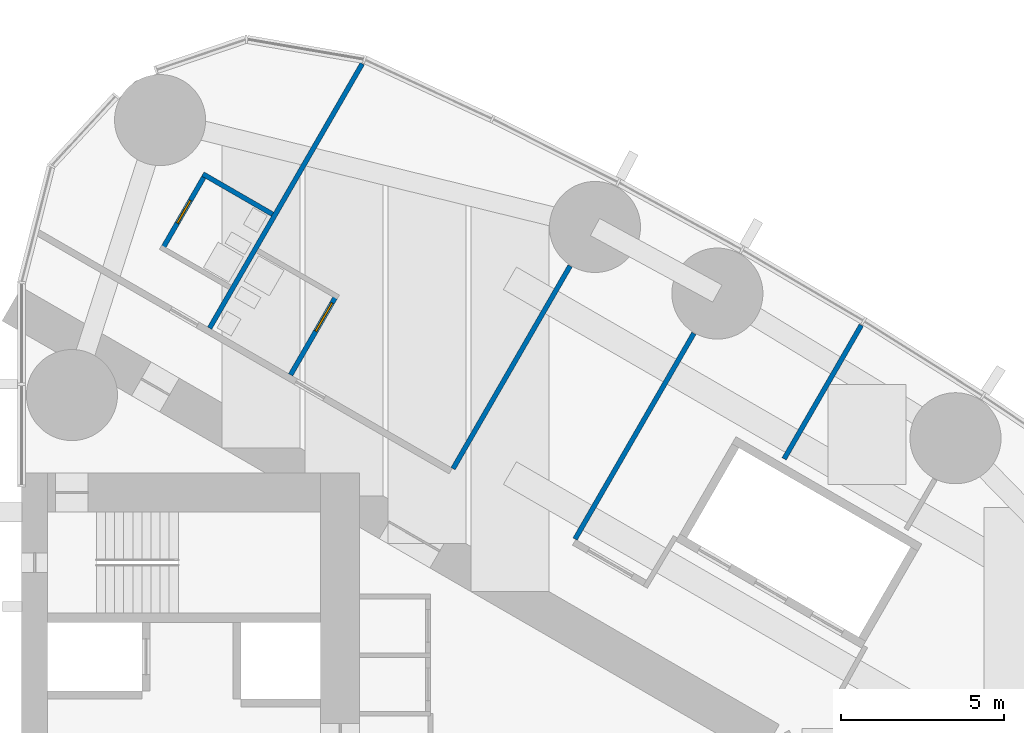
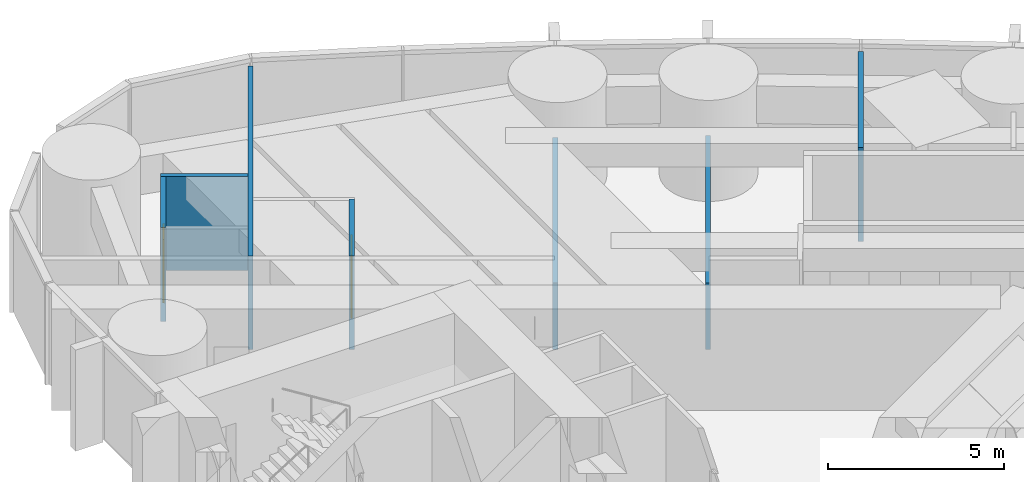
# One storey, part 16 of 19: 7 walls, 2 doors, 2 openings.
"""IFC4 building model written with IfcOpenShell, lengths in metres."""

from ifc_helpers import new_model, si_unit, direction, frame, frame_2d, origin, place, context, subcontext, project, spatial, rectangle, extrude, material, layer, layer_set, type_object, element, fill, save


model = new_model("IFC4")

# Units and contexts
model_context = context("Model", 3, precision=1e-05, world=origin(), true_north=direction((0.0, 1.0)))
body_context = subcontext(model_context, "Body", "Model", "MODEL_VIEW")
ifc_project = project(units=[si_unit("LENGTHUNIT", "METRE"), si_unit("AREAUNIT", "SQUARE_METRE"), si_unit("VOLUMEUNIT", "CUBIC_METRE"), si_unit("PLANEANGLEUNIT", "RADIAN"), si_unit("MASSUNIT", "GRAM", prefix="KILO")], contexts=[model_context])

# Site, building, storey
site_placement = place(None, origin())
site = spatial("IfcSite", under=ifc_project, at=site_placement, CompositionType="ELEMENT")
building_placement = place(site_placement, origin())
building = spatial("IfcBuilding", under=site, at=building_placement, Name="Lancet Gate Hotel", CompositionType="ELEMENT")
storey_placement = place(building_placement, frame((0.0, 0.0, 198.300048828125)))
storey = spatial("IfcBuildingStorey", under=building, at=storey_placement, Name="L53", CompositionType="ELEMENT", Elevation=198.300048828125)

# Wall, opening, door
ifc_material_1 = material(Name="Moisture resistant board partition")
ifc_layer_1 = layer(ifc_material_1, 0.14990234375)
ifc_layer_set_1 = layer_set([ifc_layer_1], Name="Bathroom wall 150")
wall_type_1 = type_object("IfcWallType", Name="Bathroom wall 150", PredefinedType="PARTITIONING", material=ifc_layer_set_1)
wall_1_placement = place(storey_placement, frame((35.7734375, 11.621337890625, 0.0), z_axis=(0.0, 0.0, 1.0), x_axis=(0.49998411664, 0.866034573852, 0.0)))
wall_1 = element("IfcWall", 1, at=wall_1_placement, inside=storey, type_object=wall_type_1, Name="T2 bathroom wall 150 L53", PredefinedType="PARTITIONING", context=body_context, shape_type="SweptSolid", body=[
    extrude(rectangle(XDim=2.7998046875, YDim=0.14990234375, at=frame_2d((1.39990234375, 0.0))), origin(), (0.0, 0.0, 1.0), 3.25),
])
opening_1_placement = place(wall_1_placement, frame((1.550048828125, 0.0, 0.0)))
opening_1 = element("IfcOpeningElement", 2, at=opening_1_placement, cuts=wall_1, Name="Opening 5362-B", PredefinedType="OPENING", context=body_context, shape_type="SweptSolid", body=[
    extrude(rectangle(XDim=1.0, YDim=2.199951171875, at=frame_2d((0.5, 1.10009765625))), frame((0.0, 0.0849609375, 0.0), z_axis=(0.0, -1.0, 0.0), x_axis=(1.0, 0.0, 0.0)), (0.0, 0.0, 1.0), 0.169921875),
])
ifc_material_2 = material(Name="Timber door set", Category="wood")
door_type_1 = type_object("IfcDoorType", Name="Accessible en-suite door 1000", OperationType="SINGLE_SWING_RIGHT", PredefinedType="DOOR", material=ifc_material_2)
door_1_placement = place(opening_1_placement, origin())
door_1 = element("IfcDoor", 3, at=door_1_placement, inside=storey, type_object=door_type_1, Name="5362-B", OperationType="SINGLE_SWING_RIGHT", OverallHeight=2.199951171875, OverallWidth=1.0, PredefinedType="DOOR", context=body_context, shape_type="SweptSolid", body=[
    extrude(rectangle(XDim=1.0, YDim=2.199951171875, at=frame_2d((0.5, 1.10009765625))), frame((0.0, 0.02490234375, 0.0), z_axis=(0.0, -1.0, 0.0), x_axis=(1.0, 0.0, 0.0)), (0.0, 0.0, 1.0), 0.050048828125),
])
fill(opening_1, door_1)

# Wall
wall_2_placement = place(storey_placement, frame((33.0751953125, 17.798095703125, 0.0), z_axis=(0.0, 0.0, 1.0), x_axis=(0.866006523861, -0.500032699561, 0.0)))
element("IfcWall", 4, at=wall_2_placement, inside=storey, type_object=wall_type_1, Name="T2 bathroom wall 150 L53", PredefinedType="PARTITIONING", context=body_context, shape_type="SweptSolid", body=[
    extrude(rectangle(XDim=2.474853515625, YDim=0.14990234375, at=frame_2d((1.2373046875, 0.0))), origin(), (0.0, 0.0, 1.0), 3.25),
])

# Wall, opening, door
wall_3_placement = place(storey_placement, frame((31.840087890625, 15.5087890625, 0.0), z_axis=(0.0, 0.0, 1.0), x_axis=(0.500006934395, 0.866021400173, 0.0)))
wall_3 = element("IfcWall", 5, at=wall_3_placement, inside=storey, type_object=wall_type_1, Name="T2 bathroom wall 150 L53", PredefinedType="PARTITIONING", context=body_context, shape_type="SweptSolid", body=[
    extrude(rectangle(XDim=2.60009765625, YDim=0.14990234375, at=frame_2d((1.300048828125, 0.0))), origin(), (0.0, 0.0, 1.0), 3.25),
])
opening_2_placement = place(wall_3_placement, frame((0.89990234375, 0.0, 0.0)))
opening_2 = element("IfcOpeningElement", 6, at=opening_2_placement, cuts=wall_3, Name="Opening 5364-B", PredefinedType="OPENING", context=body_context, shape_type="SweptSolid", body=[
    extrude(rectangle(XDim=0.800048828125, YDim=2.199951171875, at=frame_2d((0.39990234375, 1.10009765625))), frame((0.0, 0.0849609375, 0.0), z_axis=(0.0, -1.0, 0.0), x_axis=(1.0, 0.0, 0.0)), (0.0, 0.0, 1.0), 0.169921875),
])
ifc_material_3 = material(Name="Timber door set", Category="wood")
door_type_2 = type_object("IfcDoorType", Name="Bathroom door 800", OperationType="SINGLE_SWING_RIGHT", PredefinedType="DOOR", material=ifc_material_3)
door_2_placement = place(opening_2_placement, origin())
door_2 = element("IfcDoor", 7, at=door_2_placement, inside=storey, type_object=door_type_2, Name="5364-B", OperationType="SINGLE_SWING_RIGHT", OverallHeight=2.199951171875, OverallWidth=0.800048828125, PredefinedType="DOOR", context=body_context, shape_type="SweptSolid", body=[
    extrude(rectangle(XDim=0.800048828125, YDim=2.199951171875, at=frame_2d((0.39990234375, 1.10009765625))), frame((0.0, 0.02490234375, 0.0), z_axis=(0.0, -1.0, 0.0), x_axis=(1.0, 0.0, 0.0)), (0.0, 0.0, 1.0), 0.050048828125),
])
fill(opening_2, door_2)

# Walls
ifc_material_4 = material(Name="Gypsum board partition")
ifc_layer_2 = layer(ifc_material_4, 0.14990234375)
ifc_layer_set_2 = layer_set([ifc_layer_2], Name="Party wall 150")
wall_type_2 = type_object("IfcWallType", Name="Party wall 150", PredefinedType="PARTITIONING", material=ifc_layer_set_2)
wall_4_placement = place(storey_placement, frame((33.28369140625, 13.058837890625, 0.0), z_axis=(0.0, 0.0, 1.0), x_axis=(0.499985904184, 0.866033541855, 0.0)))
element("IfcWall", 8, at=wall_4_placement, inside=storey, type_object=wall_type_2, Name="T2 party wall 150 L53", PredefinedType="PARTITIONING", context=body_context, shape_type="SweptSolid", body=[
    extrude(rectangle(XDim=9.385498046875, YDim=0.14990234375, at=frame_2d((4.69287109375, 0.0))), origin(), (0.0, 0.0, 1.0), 3.25),
])
wall_5_placement = place(storey_placement, frame((40.769287109375, 8.737060546875, 0.0), z_axis=(0.0, 0.0, 1.0), x_axis=(0.500013115284, 0.866017831539, 0.0)))
element("IfcWall", 9, at=wall_5_placement, inside=storey, type_object=wall_type_2, Name="T2 party wall 150 L53", PredefinedType="PARTITIONING", context=body_context, shape_type="SweptSolid", body=[
    extrude(rectangle(XDim=7.197998046875, YDim=0.14990234375, at=frame_2d((3.59912109375, 0.0))), origin(), (0.0, 0.0, 1.0), 2.300048828125),
])
wall_6_placement = place(storey_placement, frame((44.521484375, 6.57080078125, 0.0), z_axis=(0.0, 0.0, 1.0), x_axis=(0.500020376429, 0.866013639128, 0.0)))
element("IfcWall", 10, at=wall_6_placement, inside=storey, type_object=wall_type_2, Name="T2 party wall 150 L53", PredefinedType="PARTITIONING", context=body_context, shape_type="SweptSolid", body=[
    extrude(rectangle(XDim=7.306396484375, YDim=0.14990234375, at=frame_2d((3.6533203125, 0.0))), origin(), (0.0, 0.0, 1.0), 2.300048828125),
])
wall_7_placement = place(storey_placement, frame((50.949951171875, 9.037353515625, 0.0), z_axis=(0.0, 0.0, 1.0), x_axis=(0.499988022762, 0.866032318735, 0.0)))
element("IfcWall", 11, at=wall_7_placement, inside=storey, type_object=wall_type_2, Name="T2 party wall 150 L53", PredefinedType="PARTITIONING", context=body_context, shape_type="SweptSolid", body=[
    extrude(rectangle(XDim=4.748046875, YDim=0.14990234375, at=frame_2d((2.3740234375, 0.0))), origin(), (0.0, 0.0, 1.0), 3.25),
])

save(model, "model.ifc")
